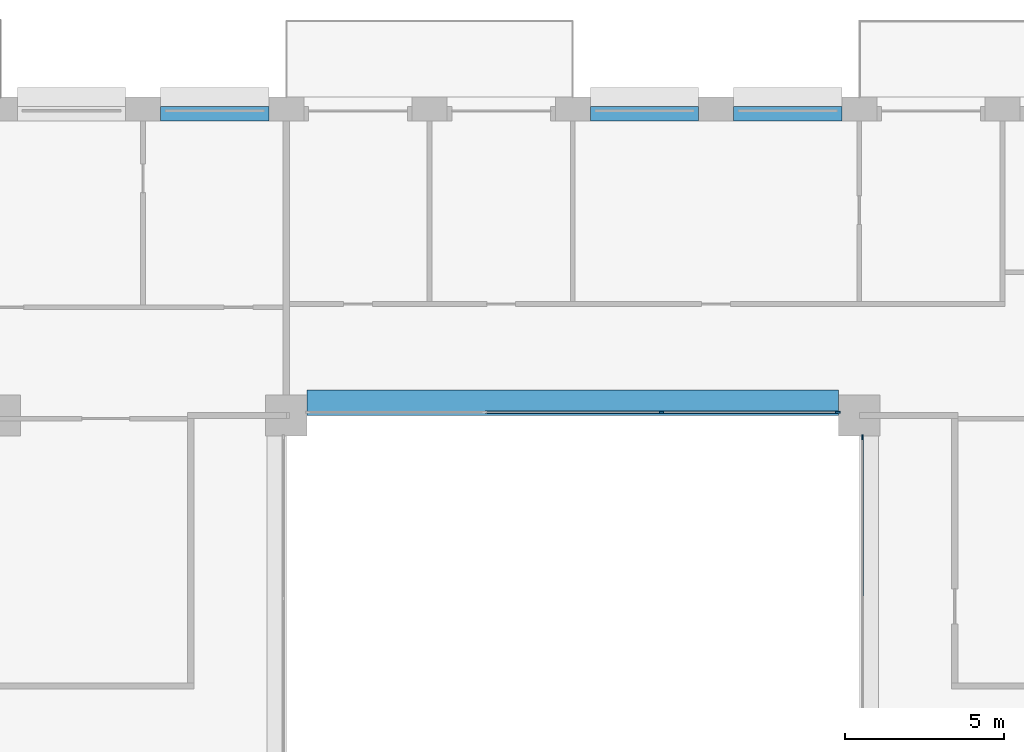
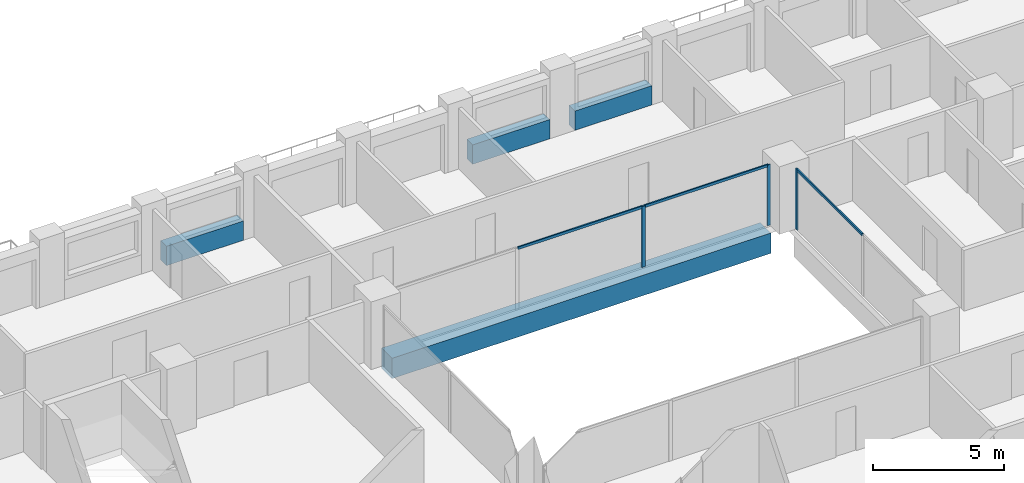
# One storey, part 6 of 17: 6 members, 4 beams, 2 elements without a shape of their own.
"""IFC4 building model written with IfcOpenShell, lengths in metres."""

from ifc_helpers import new_model, si_unit, direction, frame, origin, origin_2d, place, context, subcontext, project, spatial, rectangle, extrude, material, layer, layer_set, material_profile, profile_set, type_object, element, aggregate, save


model = new_model("IFC4")

# Units and contexts
model_context = context("Model", 3, precision=1e-05, world=origin(), true_north=direction((0.0, 1.0)))
body_context = subcontext(model_context, "Body", "Model", "MODEL_VIEW")
ifc_project = project(units=[si_unit("LENGTHUNIT", "METRE"), si_unit("AREAUNIT", "SQUARE_METRE"), si_unit("VOLUMEUNIT", "CUBIC_METRE"), si_unit("PLANEANGLEUNIT", "RADIAN"), si_unit("MASSUNIT", "GRAM", prefix="KILO")], contexts=[model_context])

# Site, building, storey
site_placement = place(None, origin())
site = spatial("IfcSite", under=ifc_project, at=site_placement, CompositionType="ELEMENT")
building_placement = place(site_placement, origin())
building = spatial("IfcBuilding", under=site, at=building_placement, Name="Brigalow Station Residences", CompositionType="ELEMENT")
storey_placement = place(building_placement, frame((0.0, 0.0, 111.89990234375)))
storey = spatial("IfcBuildingStorey", under=building, at=storey_placement, Name="L32", CompositionType="ELEMENT", Elevation=111.89990234375)

# Beam
ifc_material_1 = material(Name="Concrete C65", Category="concrete")
ifc_material_profile_1 = material_profile(ifc_material_1, rectangle(XDim=0.800048828125, YDim=0.949951171875, at=origin_2d()), Name="RC800x950")
ifc_profile_set_1 = profile_set([ifc_material_profile_1], Name="Concrete C65")
beam_type_1 = type_object("IfcBeamType", Name="ATRIUM EDGE GIRDER OVER 13.5 M SPAN 800x950 C65", PredefinedType="BEAM", material=ifc_profile_set_1)
beam_placement = place(storey_placement, frame((27.64990234375, 35.89990234375, -0.794921875), z_axis=(1.0, 0.0, 0.0), x_axis=(0.0, 1.0, 0.0)))
element("IfcBeam", 1, at=beam_placement, inside=storey, type_object=beam_type_1, Name="ATRIUM EDGE GIRDER D L32", PredefinedType="BEAM", context=body_context, shape_type="SweptSolid", body=[
    extrude(rectangle(XDim=0.800048828125, YDim=0.949951171875, at=origin_2d()), origin(), (0.0, 0.0, 1.0), 16.7001953125),
])

# Curtain wall, member
ifc_material_2 = material(Name="Aluminium", Category="aluminium")
ifc_layer = layer(ifc_material_2, 0.14990234375)
ifc_layer_set = layer_set([ifc_layer], Name="ATRIUM FIRE-RATED GLAZING CURTAIN WALL")
curtain_wall_type = type_object("IfcCurtainWallType", Name="ATRIUM FIRE-RATED GLAZING CURTAIN WALL", PredefinedType="NOTDEFINED", material=ifc_layer_set)
curtain_wall_1_placement = place(storey_placement, origin())
curtain_wall_1 = element("IfcCurtainWall", 2, at=curtain_wall_1_placement, inside=storey, type_object=curtain_wall_type, Name="L32/cw/atrium-E", PredefinedType="NOTDEFINED")
ifc_material_3 = material(Name="Aluminium", Category="aluminium")
ifc_material_profile_2 = material_profile(ifc_material_3, rectangle(XDim=0.06005859375, YDim=0.14990234375, at=origin_2d()), Name="ATRIUM FIRE-RATED GLAZING MULLION 60x150")
ifc_profile_set_2 = profile_set([ifc_material_profile_2], Name="Aluminium")
member_type_1 = type_object("IfcMemberType", Name="ATRIUM FIRE-RATED GLAZING MULLION 60x150", PredefinedType="MULLION", material=ifc_profile_set_2)
member_1_placement = place(storey_placement, frame((45.10009765625, 34.820068359375, 0.0), z_axis=(0.0, 0.0, 1.0), x_axis=(-1.0, 0.0, 0.0)))
member_1 = element("IfcMember", 3, at=member_1_placement, type_object=member_type_1, Name="L32/cw/atrium-E/M02", PredefinedType="MULLION", context=body_context, shape_type="SweptSolid", body=[
    extrude(rectangle(XDim=0.06005859375, YDim=0.14990234375, at=origin_2d()), origin(), (0.0, 0.0, 1.0), 2.830078125),
])

# Curtain wall, members
curtain_wall_2_placement = place(storey_placement, origin())
curtain_wall_2 = element("IfcCurtainWall", 4, at=curtain_wall_2_placement, inside=storey, type_object=curtain_wall_type, Name="L32/cw/atrium-N", PredefinedType="NOTDEFINED")
member_2_placement = place(storey_placement, frame((44.320068359375, 35.60009765625, 0.0), z_axis=(0.0, 0.0, 1.0), x_axis=(0.0, -1.0, 0.0)))
member_2 = element("IfcMember", 5, at=member_2_placement, type_object=member_type_1, Name="L32/cw/atrium-N/M00", PredefinedType="MULLION", context=body_context, shape_type="SweptSolid", body=[
    extrude(rectangle(XDim=0.06005859375, YDim=0.14990234375, at=origin_2d()), origin(), (0.0, 0.0, 1.0), 2.830078125),
])
member_3_placement = place(storey_placement, frame((38.783203125, 35.60009765625, 0.0), z_axis=(0.0, 0.0, 1.0), x_axis=(0.0, -1.0, 0.0)))
member_3 = element("IfcMember", 6, at=member_3_placement, type_object=member_type_1, Name="L32/cw/atrium-N/M01", PredefinedType="MULLION", context=body_context, shape_type="SweptSolid", body=[
    extrude(rectangle(XDim=0.06005859375, YDim=0.14990234375, at=origin_2d()), origin(), (0.0, 0.0, 1.0), 2.830078125),
])

# Member
ifc_material_4 = material(Name="Aluminium", Category="aluminium")
ifc_material_profile_3 = material_profile(ifc_material_4, rectangle(XDim=0.06005859375, YDim=0.1201171875, at=origin_2d()), Name="ATRIUM FIRE-RATED GLAZING TRANSOM 60x120")
ifc_profile_set_3 = profile_set([ifc_material_profile_3], Name="Aluminium")
member_type_2 = type_object("IfcMemberType", Name="ATRIUM FIRE-RATED GLAZING TRANSOM 60x120", PredefinedType="USERDEFINED", material=ifc_profile_set_3)
member_4_placement = place(storey_placement, frame((45.10009765625, 29.780029296875, 2.800048828125), z_axis=(0.0, 1.0, 0.0), x_axis=(-1.0, 0.0, 0.0)))
member_4 = element("IfcMember", 7, at=member_4_placement, type_object=member_type_2, Name="L32/cw/atrium-E/T01-00", ObjectType="TRANSOM", PredefinedType="USERDEFINED", context=body_context, shape_type="SweptSolid", body=[
    extrude(rectangle(XDim=0.06005859375, YDim=0.1201171875, at=origin_2d()), origin(), (0.0, 0.0, 1.0), 5.010009765625),
])

aggregate(curtain_wall_1, [member_1, member_4])

member_5_placement = place(storey_placement, frame((44.2900390625, 35.60009765625, 2.800048828125), z_axis=(-1.0, 0.0, 0.0), x_axis=(0.0, -1.0, 0.0)))
member_5 = element("IfcMember", 8, at=member_5_placement, type_object=member_type_2, Name="L32/cw/atrium-N/T00-00", ObjectType="TRANSOM", PredefinedType="USERDEFINED", context=body_context, shape_type="SweptSolid", body=[
    extrude(rectangle(XDim=0.06005859375, YDim=0.1201171875, at=origin_2d()), origin(), (0.0, 0.0, 1.0), 5.476806640625),
])

member_6_placement = place(storey_placement, frame((38.75341796875, 35.60009765625, 2.800048828125), z_axis=(-1.0, 0.0, 0.0), x_axis=(0.0, -1.0, 0.0)))
member_6 = element("IfcMember", 9, at=member_6_placement, type_object=member_type_2, Name="L32/cw/atrium-N/T01-00", ObjectType="TRANSOM", PredefinedType="USERDEFINED", context=body_context, shape_type="SweptSolid", body=[
    extrude(rectangle(XDim=0.06005859375, YDim=0.1201171875, at=origin_2d()), origin(), (0.0, 0.0, 1.0), 5.5068359375),
])

aggregate(curtain_wall_2, [member_2, member_3, member_5, member_6])

# Beams
ifc_material_5 = material(Name="Concrete C65", Category="concrete")
ifc_material_profile_4 = material_profile(ifc_material_5, rectangle(XDim=0.449951171875, YDim=0.89990234375, at=origin_2d()), Name="RC450x900")
ifc_profile_set_4 = profile_set([ifc_material_profile_4], Name="Concrete C65")
beam_type_2 = type_object("IfcBeamType", Name="SPANDREL BEAM 450x900 C65", PredefinedType="SPANDREL", material=ifc_profile_set_4)
for number, where, z_axis, x_axis, name in (
    (10, (44.449951171875, 44.97509765625, 0.4501953125), (-1.0, 0.0, 0.0), (0.0, -1.0, 0.0), "L32/spandrel/W-L32-29"),
    (11, (39.949951171875, 44.97509765625, 0.4501953125), (-1.0, 0.0, 0.0), (0.0, -1.0, 0.0), "L32/spandrel/W-L32-30"),
    (12, (26.449951171875, 44.97509765625, 0.4501953125), (-1.0, 0.0, 0.0), (0.0, -1.0, 0.0), "L32/spandrel/W-L32-33"),
):
    element("IfcBeam", number, at=place(storey_placement, frame(where, z_axis=z_axis, x_axis=x_axis)), inside=storey, type_object=beam_type_2, Name=name, PredefinedType="SPANDREL", context=body_context, shape_type="SweptSolid", body=[
        extrude(rectangle(XDim=0.449951171875, YDim=0.89990234375, at=origin_2d()), origin(), (0.0, 0.0, 1.0), 3.39990234375),
    ])

save(model, "model.ifc")
